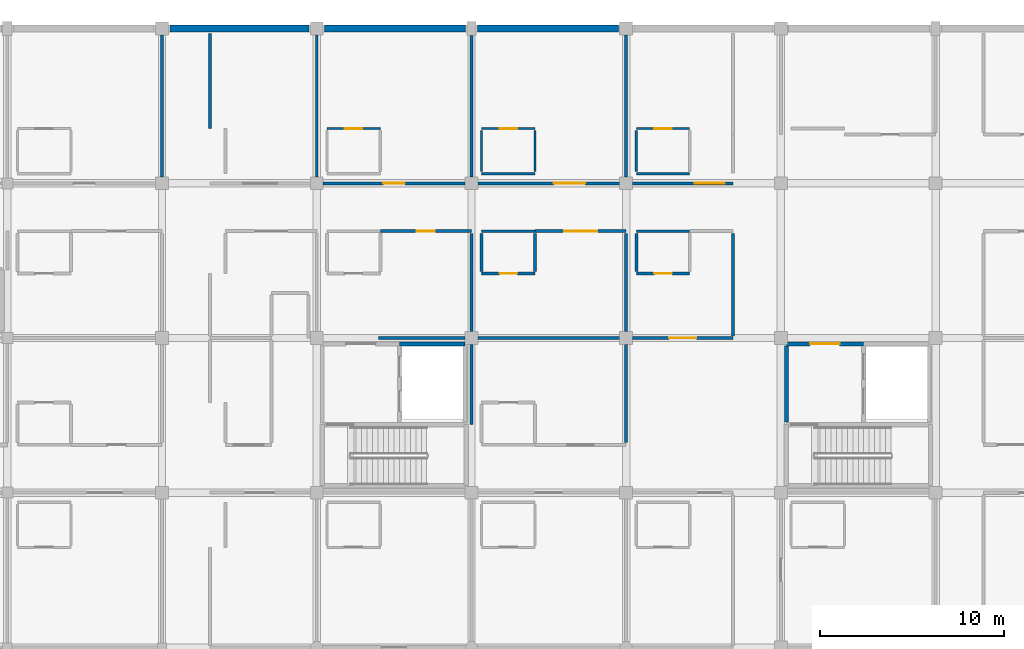
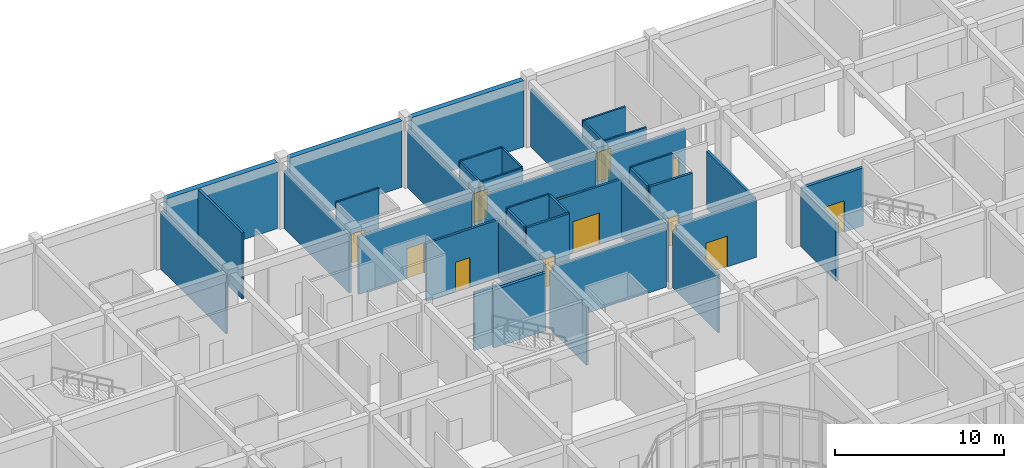
# One storey, part 105 of 134: 39 walls, 12 doors, 12 openings.
"""IFC4 building model written with IfcOpenShell, lengths in metres."""

from ifc_helpers import new_model, si_unit, direction, frame, frame_2d, origin, place, context, subcontext, project, spatial, rectangle, extrude, material, layer, layer_set, type_object, element, fill, save


model = new_model("IFC4")

# Units and contexts
model_context = context("Model", 3, precision=1e-05, world=origin(), true_north=direction((0.0, 1.0)))
body_context = subcontext(model_context, "Body", "Model", "MODEL_VIEW")
ifc_project = project(units=[si_unit("LENGTHUNIT", "METRE"), si_unit("AREAUNIT", "SQUARE_METRE"), si_unit("VOLUMEUNIT", "CUBIC_METRE"), si_unit("PLANEANGLEUNIT", "RADIAN"), si_unit("MASSUNIT", "GRAM", prefix="KILO")], contexts=[model_context])

# Site, building, storey
site_placement = place(None, origin())
site = spatial("IfcSite", under=ifc_project, at=site_placement, CompositionType="ELEMENT")
building_placement = place(site_placement, origin())
building = spatial("IfcBuilding", under=site, at=building_placement, Name="Bramfleet General Hospital", CompositionType="ELEMENT")
storey_placement = place(building_placement, frame((0.0, 0.0, 9.300048828125)))
storey = spatial("IfcBuildingStorey", under=building, at=storey_placement, Name="L02", CompositionType="ELEMENT", Elevation=9.300048828125)

# Walls
ifc_material_1 = material(Name="Concrete C35/45", Category="concrete")
ifc_layer_1 = layer(ifc_material_1, 0.360107421875, Name="WT-EW-02")
ifc_layer_set_1 = layer_set([ifc_layer_1], Name="Concrete C35/45")
wall_type_1 = type_object("IfcWallType", Name="WT-EW-02", PredefinedType="SOLIDWALL", material=ifc_layer_set_1)
wall_1_placement = place(storey_placement, frame((67.625, 117.60009765625, 0.0), z_axis=(0.0, 0.0, 1.0), x_axis=(1.0, 0.0, 0.0)))
element("IfcWall", 1, at=wall_1_placement, inside=storey, type_object=wall_type_1, Name="L02 North REI 90-M Party Wall 205", PredefinedType="SOLIDWALL", context=body_context, shape_type="SweptSolid", body=[
    extrude(rectangle(XDim=7.550048828125, YDim=0.360107421875, at=frame_2d((3.77490234375, 0.0))), origin(), (0.0, 0.0, 1.0), 4.780029296875),
])
for number, where, z_axis, x_axis, name in (
    (2, (76.02490234375, 117.60009765625, 0.0), (0.0, 0.0, 1.0), (1.0, 0.0, 0.0), "L02 North REI 90-M Party Wall 206"),
    (3, (84.324951171875, 117.60009765625, 0.0), (0.0, 0.0, 1.0), (1.0, 0.0, 0.0), "L02 North REI 90-M Party Wall 207"),
):
    element("IfcWall", number, at=place(storey_placement, frame(where, z_axis=z_axis, x_axis=x_axis)), inside=storey, type_object=wall_type_1, Name=name, PredefinedType="SOLIDWALL", context=body_context, shape_type="SweptSolid", body=[
        extrude(rectangle(XDim=7.650146484375, YDim=0.360107421875, at=frame_2d((3.8251953125, 0.0))), origin(), (0.0, 0.0, 1.0), 4.780029296875),
    ])
ifc_layer_2 = layer(ifc_material_1, 0.205078125, Name="WT-IW-02")
ifc_layer_set_2 = layer_set([ifc_layer_2], Name="Concrete C35/45")
wall_type_2 = type_object("IfcWallType", Name="WT-IW-02", PredefinedType="PARTITIONING", material=ifc_layer_set_2)
wall_2_placement = place(storey_placement, frame((101.10009765625, 96.239990234375, 0.0), z_axis=(0.0, 0.0, 1.0), x_axis=(0.0, 1.0, 0.0)))
element("IfcWall", 4, at=wall_2_placement, inside=storey, type_object=wall_type_2, Name="L02 C4 Lobby West Compartment Wall", PredefinedType="PARTITIONING", context=body_context, shape_type="SweptSolid", body=[
    extrude(rectangle(XDim=4.1201171875, YDim=0.205078125, at=frame_2d((2.06005859375, 0.0))), origin(), (0.0, 0.0, 1.0), 4.169921875),
])

# Wall, opening, door
wall_3_placement = place(storey_placement, frame((101.10009765625, 100.47998046875, 0.0), z_axis=(0.0, 0.0, 1.0), x_axis=(1.0, 0.0, 0.0)))
wall_3 = element("IfcWall", 5, at=wall_3_placement, inside=storey, type_object=wall_type_2, Name="L02 C4 Lobby North Compartment Wall", PredefinedType="PARTITIONING", context=body_context, shape_type="SweptSolid", body=[
    extrude(rectangle(XDim=4.179931640625, YDim=0.205078125, at=frame_2d((2.08984375, 0.0))), origin(), (0.0, 0.0, 1.0), 4.169921875),
])
opening_1_placement = place(wall_3_placement, frame((1.2900390625, 0.0, 0.0)))
opening_1 = element("IfcOpeningElement", 6, at=opening_1_placement, cuts=wall_3, Name="Opening D0044", PredefinedType="OPENING", context=body_context, shape_type="SweptSolid", body=[
    extrude(rectangle(XDim=1.60009765625, YDim=2.25, at=frame_2d((0.800048828125, 1.125))), frame((0.0, 0.112548828125, 0.0), z_axis=(0.0, -1.0, 0.0), x_axis=(1.0, 0.0, 0.0)), (0.0, 0.0, 1.0), 0.22509765625),
])
ifc_material_2 = material(Name="Stainless steel and acoustic timber leaf", Category="steel")
door_type_1 = type_object("IfcDoorType", Name="DR-D-04", OperationType="NOTDEFINED", PredefinedType="DOOR", material=ifc_material_2)
door_1_placement = place(opening_1_placement, origin())
door_1 = element("IfcDoor", 7, at=door_1_placement, inside=storey, type_object=door_type_1, Name="L02 C4 Lobby Fire Door D0044", OperationType="DOUBLE_SWING_LEFT", OverallHeight=2.25, OverallWidth=1.60009765625, PredefinedType="DOOR", context=body_context, shape_type="SweptSolid", body=[
    extrude(rectangle(XDim=1.60009765625, YDim=2.25, at=frame_2d((0.800048828125, 1.125))), frame((0.0, 0.02490234375, 0.0), z_axis=(0.0, -1.0, 0.0), x_axis=(1.0, 0.0, 0.0)), (0.0, 0.0, 1.0), 0.050048828125),
])
fill(opening_1, door_1)

# Walls
wall_4_placement = place(storey_placement, frame((80.080078125, 100.47998046875, 0.0), z_axis=(0.0, 0.0, 1.0), x_axis=(1.0, 0.0, 0.0)))
element("IfcWall", 8, at=wall_4_placement, inside=storey, type_object=wall_type_2, Name="L02 C5 Lift Shaft North Wall", PredefinedType="PARTITIONING", context=body_context, shape_type="SweptSolid", body=[
    extrude(rectangle(XDim=3.56982421875, YDim=0.205078125, at=frame_2d((1.784912109375, 0.0))), origin(), (0.0, 0.0, 1.0), 4.169921875),
])
ifc_material_3 = material(Name="Gypsum plasterboard on acoustic steel studs", Category="steel")
ifc_layer_3 = layer(ifc_material_3, 0.159912109375, Name="WT-IW-06")
ifc_layer_set_3 = layer_set([ifc_layer_3], Name="Gypsum plasterboard on acoustic steel studs")
wall_type_3 = type_object("IfcWallType", Name="WT-IW-06", PredefinedType="PARTITIONING", material=ifc_layer_set_3)
wall_5_placement = place(storey_placement, frame((78.949951171875, 100.800048828125, 0.0), z_axis=(0.0, 0.0, 1.0), x_axis=(1.0, 0.0, 0.0)))
element("IfcWall", 9, at=wall_5_placement, inside=storey, type_object=wall_type_3, Name="L02 Interior Partition IW-L02-2125", PredefinedType="PARTITIONING", context=body_context, shape_type="SweptSolid", body=[
    extrude(rectangle(XDim=4.705078125, YDim=0.159912109375, at=frame_2d((2.3525390625, 0.0))), origin(), (0.0, 0.0, 1.0), 4.169921875),
])
wall_6_placement = place(storey_placement, frame((84.344970703125, 100.800048828125, 0.0), z_axis=(0.0, 0.0, 1.0), x_axis=(1.0, 0.0, 0.0)))
element("IfcWall", 10, at=wall_6_placement, inside=storey, type_object=wall_type_3, Name="L02 Interior Partition IW-L02-2126", PredefinedType="PARTITIONING", context=body_context, shape_type="SweptSolid", body=[
    extrude(rectangle(XDim=7.7099609375, YDim=0.159912109375, at=frame_2d((3.85498046875, 0.0))), origin(), (0.0, 0.0, 1.0), 4.169921875),
])

# Wall, opening, door
wall_7_placement = place(storey_placement, frame((92.7451171875, 100.800048828125, 0.0), z_axis=(0.0, 0.0, 1.0), x_axis=(1.0, 0.0, 0.0)))
wall_7 = element("IfcWall", 11, at=wall_7_placement, inside=storey, type_object=wall_type_3, Name="L02 Interior Partition IW-L02-2127", PredefinedType="PARTITIONING", context=body_context, shape_type="SweptSolid", body=[
    extrude(rectangle(XDim=5.454833984375, YDim=0.159912109375, at=frame_2d((2.7275390625, 0.0))), origin(), (0.0, 0.0, 1.0), 4.169921875),
])
opening_2_placement = place(wall_7_placement, frame((1.987548828125, 0.0, 0.0)))
opening_2 = element("IfcOpeningElement", 12, at=opening_2_placement, cuts=wall_7, Name="Opening D0944", PredefinedType="OPENING", context=body_context, shape_type="SweptSolid", body=[
    extrude(rectangle(XDim=1.47998046875, YDim=2.219970703125, at=frame_2d((0.739990234375, 1.10986328125))), frame((0.0, 0.08984375, 0.0), z_axis=(0.0, -1.0, 0.0), x_axis=(1.0, 0.0, 0.0)), (0.0, 0.0, 1.0), 0.179931640625),
])
door_type_2 = type_object("IfcDoorType", Name="DR-D-16", OperationType="NOTDEFINED", PredefinedType="DOOR", material=ifc_material_2)
door_2_placement = place(opening_2_placement, origin())
door_2 = element("IfcDoor", 13, at=door_2_placement, inside=storey, type_object=door_type_2, Name="Intensive Care Unit Room L02-1112 Door D0944", OperationType="SINGLE_SWING_LEFT", OverallHeight=2.219970703125, OverallWidth=1.47998046875, PredefinedType="DOOR", context=body_context, shape_type="SweptSolid", body=[
    extrude(rectangle(XDim=1.47998046875, YDim=2.219970703125, at=frame_2d((0.739990234375, 1.10986328125))), frame((0.0, 0.02490234375, 0.0), z_axis=(0.0, -1.0, 0.0), x_axis=(1.0, 0.0, 0.0)), (0.0, 0.0, 1.0), 0.050048828125),
])
fill(opening_2, door_2)

wall_8_placement = place(storey_placement, frame((84.550048828125, 104.300048828125, 0.0), z_axis=(0.0, 0.0, 1.0), x_axis=(1.0, 0.0, 0.0)))
wall_8 = element("IfcWall", 14, at=wall_8_placement, inside=storey, type_object=wall_type_3, Name="L02 Interior Partition IW-L02-2144", PredefinedType="PARTITIONING", context=body_context, shape_type="SweptSolid", body=[
    extrude(rectangle(XDim=2.89990234375, YDim=0.159912109375, at=frame_2d((1.449951171875, 0.0))), origin(), (0.0, 0.0, 1.0), 4.77001953125),
])
opening_3_placement = place(wall_8_placement, frame((0.97509765625, 0.0, 0.0)))
opening_3 = element("IfcOpeningElement", 15, at=opening_3_placement, cuts=wall_8, Name="Opening D0934", PredefinedType="OPENING", context=body_context, shape_type="SweptSolid", body=[
    extrude(rectangle(XDim=0.949951171875, YDim=2.10009765625, at=frame_2d((0.47509765625, 1.050048828125))), frame((0.0, 0.08984375, 0.0), z_axis=(0.0, -1.0, 0.0), x_axis=(1.0, 0.0, 0.0)), (0.0, 0.0, 1.0), 0.179931640625),
])
door_type_3 = type_object("IfcDoorType", Name="DR-D-10", OperationType="NOTDEFINED", PredefinedType="DOOR", material=ifc_material_2)
door_3_placement = place(opening_3_placement, origin())
door_3 = element("IfcDoor", 16, at=door_3_placement, inside=storey, type_object=door_type_3, Name="Intensive Care En-Suite WC L02-1012 Door D0934", OperationType="SINGLE_SWING_LEFT", OverallHeight=2.10009765625, OverallWidth=0.949951171875, PredefinedType="DOOR", context=body_context, shape_type="SweptSolid", body=[
    extrude(rectangle(XDim=0.949951171875, YDim=2.10009765625, at=frame_2d((0.47509765625, 1.050048828125))), frame((0.0, 0.02490234375, 0.0), z_axis=(0.0, -1.0, 0.0), x_axis=(1.0, 0.0, 0.0)), (0.0, 0.0, 1.0), 0.050048828125),
])
fill(opening_3, door_3)

wall_9_placement = place(storey_placement, frame((92.949951171875, 104.300048828125, 0.0), z_axis=(0.0, 0.0, 1.0), x_axis=(1.0, 0.0, 0.0)))
wall_9 = element("IfcWall", 17, at=wall_9_placement, inside=storey, type_object=wall_type_3, Name="L02 Interior Partition IW-L02-2145", PredefinedType="PARTITIONING", context=body_context, shape_type="SweptSolid", body=[
    extrude(rectangle(XDim=2.900146484375, YDim=0.159912109375, at=frame_2d((1.4501953125, 0.0))), origin(), (0.0, 0.0, 1.0), 4.77001953125),
])
opening_4_placement = place(wall_9_placement, frame((0.97509765625, 0.0, 0.0)))
opening_4 = element("IfcOpeningElement", 18, at=opening_4_placement, cuts=wall_9, Name="Opening D0945", PredefinedType="OPENING", context=body_context, shape_type="SweptSolid", body=[
    extrude(rectangle(XDim=0.949951171875, YDim=2.10009765625, at=frame_2d((0.47509765625, 1.050048828125))), frame((0.0, 0.08984375, 0.0), z_axis=(0.0, -1.0, 0.0), x_axis=(1.0, 0.0, 0.0)), (0.0, 0.0, 1.0), 0.179931640625),
])
door_4_placement = place(opening_4_placement, origin())
door_4 = element("IfcDoor", 19, at=door_4_placement, inside=storey, type_object=door_type_3, Name="Intensive Care En-Suite WC L02-1112 Door D0945", OperationType="SINGLE_SWING_LEFT", OverallHeight=2.10009765625, OverallWidth=0.949951171875, PredefinedType="DOOR", context=body_context, shape_type="SweptSolid", body=[
    extrude(rectangle(XDim=0.949951171875, YDim=2.10009765625, at=frame_2d((0.47509765625, 1.050048828125))), frame((0.0, 0.02490234375, 0.0), z_axis=(0.0, -1.0, 0.0), x_axis=(1.0, 0.0, 0.0)), (0.0, 0.0, 1.0), 0.050048828125),
])
fill(opening_4, door_4)

wall_10_placement = place(storey_placement, frame((79.050048828125, 106.60009765625, 0.0), z_axis=(0.0, 0.0, 1.0), x_axis=(1.0, 0.0, 0.0)))
wall_10 = element("IfcWall", 20, at=wall_10_placement, inside=storey, type_object=wall_type_3, Name="L02 Interior Partition IW-L02-2155", PredefinedType="PARTITIONING", context=body_context, shape_type="SweptSolid", body=[
    extrude(rectangle(XDim=4.949951171875, YDim=0.159912109375, at=frame_2d((2.47509765625, 0.0))), origin(), (0.0, 0.0, 1.0), 4.169921875),
])
opening_5_placement = place(wall_10_placement, frame((1.985107421875, 0.0, 0.0)))
opening_5 = element("IfcOpeningElement", 21, at=opening_5_placement, cuts=wall_10, Name="Opening D0922", PredefinedType="OPENING", context=body_context, shape_type="SweptSolid", body=[
    extrude(rectangle(XDim=0.97998046875, YDim=2.1201171875, at=frame_2d((0.489990234375, 1.06005859375))), frame((0.0, 0.08984375, 0.0), z_axis=(0.0, -1.0, 0.0), x_axis=(1.0, 0.0, 0.0)), (0.0, 0.0, 1.0), 0.179931640625),
])
door_type_4 = type_object("IfcDoorType", Name="DR-D-26", OperationType="NOTDEFINED", PredefinedType="DOOR", material=ifc_material_2)
door_5_placement = place(opening_5_placement, origin())
door_5 = element("IfcDoor", 22, at=door_5_placement, inside=storey, type_object=door_type_4, Name="Intensive Care Unit Room L02-0912 Door D0922", OperationType="SINGLE_SWING_LEFT", OverallHeight=2.1201171875, OverallWidth=0.97998046875, PredefinedType="DOOR", context=body_context, shape_type="SweptSolid", body=[
    extrude(rectangle(XDim=0.97998046875, YDim=2.1201171875, at=frame_2d((0.489990234375, 1.06005859375))), frame((0.0, 0.02490234375, 0.0), z_axis=(0.0, -1.0, 0.0), x_axis=(1.0, 0.0, 0.0)), (0.0, 0.0, 1.0), 0.050048828125),
])
fill(opening_5, door_5)

wall_11_placement = place(storey_placement, frame((87.449951171875, 106.60009765625, 0.0), z_axis=(0.0, 0.0, 1.0), x_axis=(1.0, 0.0, 0.0)))
wall_11 = element("IfcWall", 23, at=wall_11_placement, inside=storey, type_object=wall_type_3, Name="L02 Interior Partition IW-L02-2157", PredefinedType="PARTITIONING", context=body_context, shape_type="SweptSolid", body=[
    extrude(rectangle(XDim=4.949951171875, YDim=0.159912109375, at=frame_2d((2.47509765625, 0.0))), origin(), (0.0, 0.0, 1.0), 4.169921875),
])
opening_6_placement = place(wall_11_placement, frame((1.574951171875, 0.0, 0.0)))
opening_6 = element("IfcOpeningElement", 24, at=opening_6_placement, cuts=wall_11, Name="Opening D0933", PredefinedType="OPENING", context=body_context, shape_type="SweptSolid", body=[
    extrude(rectangle(XDim=1.800048828125, YDim=2.25, at=frame_2d((0.89990234375, 1.125))), frame((0.0, 0.08984375, 0.0), z_axis=(0.0, -1.0, 0.0), x_axis=(1.0, 0.0, 0.0)), (0.0, 0.0, 1.0), 0.179931640625),
])
door_type_5 = type_object("IfcDoorType", Name="DR-D-05", OperationType="NOTDEFINED", PredefinedType="DOOR", material=ifc_material_2)
door_6_placement = place(opening_6_placement, origin())
door_6 = element("IfcDoor", 25, at=door_6_placement, inside=storey, type_object=door_type_5, Name="Intensive Care Unit Room L02-1012 Door D0933", OperationType="DOUBLE_SWING_RIGHT", OverallHeight=2.25, OverallWidth=1.800048828125, PredefinedType="DOOR", context=body_context, shape_type="SweptSolid", body=[
    extrude(rectangle(XDim=1.800048828125, YDim=2.25, at=frame_2d((0.89990234375, 1.125))), frame((0.0, 0.02490234375, 0.0), z_axis=(0.0, -1.0, 0.0), x_axis=(1.0, 0.0, 0.0)), (0.0, 0.0, 1.0), 0.050048828125),
])
fill(opening_6, door_6)

wall_12_placement = place(storey_placement, frame((75.945068359375, 109.199951171875, 0.0), z_axis=(0.0, 0.0, 1.0), x_axis=(1.0, 0.0, 0.0)))
wall_12 = element("IfcWall", 26, at=wall_12_placement, inside=storey, type_object=wall_type_3, Name="L02 Interior Partition IW-L02-2175", PredefinedType="PARTITIONING", context=body_context, shape_type="SweptSolid", body=[
    extrude(rectangle(XDim=7.7099609375, YDim=0.159912109375, at=frame_2d((3.85498046875, 0.0))), origin(), (0.0, 0.0, 1.0), 4.169921875),
])
opening_7_placement = place(wall_12_placement, frame((3.264892578125, 0.0, 0.0)))
opening_7 = element("IfcOpeningElement", 27, at=opening_7_placement, cuts=wall_12, Name="Opening D0924", PredefinedType="OPENING", context=body_context, shape_type="SweptSolid", body=[
    extrude(rectangle(XDim=1.179931640625, YDim=2.179931640625, at=frame_2d((0.58984375, 1.08984375))), frame((0.0, 0.08984375, 0.0), z_axis=(0.0, -1.0, 0.0), x_axis=(1.0, 0.0, 0.0)), (0.0, 0.0, 1.0), 0.179931640625),
])
door_type_6 = type_object("IfcDoorType", Name="DR-D-28", OperationType="NOTDEFINED", PredefinedType="DOOR", material=ifc_material_2)
door_7_placement = place(opening_7_placement, origin())
door_7 = element("IfcDoor", 28, at=door_7_placement, inside=storey, type_object=door_type_6, Name="Intensive Care Unit Room L02-0913 Door D0924", OperationType="SINGLE_SWING_LEFT", OverallHeight=2.179931640625, OverallWidth=1.179931640625, PredefinedType="DOOR", context=body_context, shape_type="SweptSolid", body=[
    extrude(rectangle(XDim=1.179931640625, YDim=2.179931640625, at=frame_2d((0.58984375, 1.08984375))), frame((0.0, 0.02490234375, 0.0), z_axis=(0.0, -1.0, 0.0), x_axis=(1.0, 0.0, 0.0)), (0.0, 0.0, 1.0), 0.050048828125),
])
fill(opening_7, door_7)

wall_13_placement = place(storey_placement, frame((84.344970703125, 109.199951171875, 0.0), z_axis=(0.0, 0.0, 1.0), x_axis=(1.0, 0.0, 0.0)))
wall_13 = element("IfcWall", 29, at=wall_13_placement, inside=storey, type_object=wall_type_3, Name="L02 Interior Partition IW-L02-2176", PredefinedType="PARTITIONING", context=body_context, shape_type="SweptSolid", body=[
    extrude(rectangle(XDim=7.7099609375, YDim=0.159912109375, at=frame_2d((3.85498046875, 0.0))), origin(), (0.0, 0.0, 1.0), 4.169921875),
])
opening_8_placement = place(wall_13_placement, frame((4.12548828125, 0.0, 0.0)))
opening_8 = element("IfcOpeningElement", 30, at=opening_8_placement, cuts=wall_13, Name="Opening D0935", PredefinedType="OPENING", context=body_context, shape_type="SweptSolid", body=[
    extrude(rectangle(XDim=1.699951171875, YDim=2.25, at=frame_2d((0.85009765625, 1.125))), frame((0.0, 0.08984375, 0.0), z_axis=(0.0, -1.0, 0.0), x_axis=(1.0, 0.0, 0.0)), (0.0, 0.0, 1.0), 0.179931640625),
])
door_type_7 = type_object("IfcDoorType", Name="DR-D-07", OperationType="NOTDEFINED", PredefinedType="DOOR", material=ifc_material_2)
door_8_placement = place(opening_8_placement, origin())
door_8 = element("IfcDoor", 31, at=door_8_placement, inside=storey, type_object=door_type_7, Name="Intensive Care Unit Room L02-1013 Door D0935", OperationType="DOUBLE_SWING_RIGHT", OverallHeight=2.25, OverallWidth=1.699951171875, PredefinedType="DOOR", context=body_context, shape_type="SweptSolid", body=[
    extrude(rectangle(XDim=1.699951171875, YDim=2.25, at=frame_2d((0.85009765625, 1.125))), frame((0.0, 0.02490234375, 0.0), z_axis=(0.0, -1.0, 0.0), x_axis=(1.0, 0.0, 0.0)), (0.0, 0.0, 1.0), 0.050048828125),
])
fill(opening_8, door_8)

wall_14_placement = place(storey_placement, frame((92.7451171875, 109.199951171875, 0.0), z_axis=(0.0, 0.0, 1.0), x_axis=(1.0, 0.0, 0.0)))
wall_14 = element("IfcWall", 32, at=wall_14_placement, inside=storey, type_object=wall_type_3, Name="L02 Interior Partition IW-L02-2177", PredefinedType="PARTITIONING", context=body_context, shape_type="SweptSolid", body=[
    extrude(rectangle(XDim=5.454833984375, YDim=0.159912109375, at=frame_2d((2.7275390625, 0.0))), origin(), (0.0, 0.0, 1.0), 4.169921875),
])
opening_9_placement = place(wall_14_placement, frame((3.36767578125, 0.0, 0.0)))
opening_9 = element("IfcOpeningElement", 33, at=opening_9_placement, cuts=wall_14, Name="Opening D0946", PredefinedType="OPENING", context=body_context, shape_type="SweptSolid", body=[
    extrude(rectangle(XDim=1.639892578125, YDim=2.280029296875, at=frame_2d((0.81982421875, 1.14013671875))), frame((0.0, 0.08984375, 0.0), z_axis=(0.0, -1.0, 0.0), x_axis=(1.0, 0.0, 0.0)), (0.0, 0.0, 1.0), 0.179931640625),
])
door_type_8 = type_object("IfcDoorType", Name="DR-D-18", OperationType="NOTDEFINED", PredefinedType="DOOR", material=ifc_material_2)
door_9_placement = place(opening_9_placement, origin())
door_9 = element("IfcDoor", 34, at=door_9_placement, inside=storey, type_object=door_type_8, Name="Intensive Care Unit Room L02-1113 Door D0946", OperationType="DOUBLE_SWING_LEFT", OverallHeight=2.280029296875, OverallWidth=1.639892578125, PredefinedType="DOOR", context=body_context, shape_type="SweptSolid", body=[
    extrude(rectangle(XDim=1.639892578125, YDim=2.280029296875, at=frame_2d((0.81982421875, 1.14013671875))), frame((0.0, 0.02490234375, 0.0), z_axis=(0.0, -1.0, 0.0), x_axis=(1.0, 0.0, 0.0)), (0.0, 0.0, 1.0), 0.050048828125),
])
fill(opening_9, door_9)

# Walls
wall_15_placement = place(storey_placement, frame((67.199951171875, 109.544921875, 0.0), z_axis=(0.0, 0.0, 1.0), x_axis=(0.0, 1.0, 0.0)))
element("IfcWall", 35, at=wall_15_placement, inside=storey, type_object=wall_type_3, Name="L02 Interior Partition IW-L02-2292", PredefinedType="PARTITIONING", context=body_context, shape_type="SweptSolid", body=[
    extrude(rectangle(XDim=7.7099609375, YDim=0.159912109375, at=frame_2d((3.85498046875, 0.0))), origin(), (0.0, 0.0, 1.0), 4.169921875),
])
wall_16_placement = place(storey_placement, frame((69.800048828125, 112.169921875, 0.0), z_axis=(0.0, 0.0, 1.0), x_axis=(0.0, 1.0, 0.0)))
element("IfcWall", 36, at=wall_16_placement, inside=storey, type_object=wall_type_3, Name="L02 Interior Partition IW-L02-2299", PredefinedType="PARTITIONING", context=body_context, shape_type="SweptSolid", body=[
    extrude(rectangle(XDim=5.150146484375, YDim=0.159912109375, at=frame_2d((2.5751953125, 0.0))), origin(), (0.0, 0.0, 1.0), 4.77001953125),
])
wall_17_placement = place(storey_placement, frame((75.60009765625, 109.544921875, 0.0), z_axis=(0.0, 0.0, 1.0), x_axis=(0.0, 1.0, 0.0)))
element("IfcWall", 37, at=wall_17_placement, inside=storey, type_object=wall_type_3, Name="L02 Interior Partition IW-L02-2312", PredefinedType="PARTITIONING", context=body_context, shape_type="SweptSolid", body=[
    extrude(rectangle(XDim=7.7099609375, YDim=0.159912109375, at=frame_2d((3.85498046875, 0.0))), origin(), (0.0, 0.0, 1.0), 4.169921875),
])
wall_18_placement = place(storey_placement, frame((84.0, 96.10009765625, 0.0), z_axis=(0.0, 0.0, 1.0), x_axis=(0.0, 1.0, 0.0)))
element("IfcWall", 38, at=wall_18_placement, inside=storey, type_object=wall_type_3, Name="L02 Interior Partition IW-L02-2321", PredefinedType="PARTITIONING", context=body_context, shape_type="SweptSolid", body=[
    extrude(rectangle(XDim=4.35498046875, YDim=0.159912109375, at=frame_2d((2.177490234375, 0.0))), origin(), (0.0, 0.0, 1.0), 4.169921875),
])
wall_19_placement = place(storey_placement, frame((84.0, 101.14501953125, 0.0), z_axis=(0.0, 0.0, 1.0), x_axis=(0.0, 1.0, 0.0)))
element("IfcWall", 39, at=wall_19_placement, inside=storey, type_object=wall_type_3, Name="L02 Interior Partition IW-L02-2322", PredefinedType="PARTITIONING", context=body_context, shape_type="SweptSolid", body=[
    extrude(rectangle(XDim=5.340087890625, YDim=0.159912109375, at=frame_2d((2.669921875, 0.0))), origin(), (0.0, 0.0, 1.0), 4.169921875),
])
wall_20_placement = place(storey_placement, frame((84.0, 109.544921875, 0.0), z_axis=(0.0, 0.0, 1.0), x_axis=(0.0, 1.0, 0.0)))
element("IfcWall", 40, at=wall_20_placement, inside=storey, type_object=wall_type_3, Name="L02 Interior Partition IW-L02-2323", PredefinedType="PARTITIONING", context=body_context, shape_type="SweptSolid", body=[
    extrude(rectangle(XDim=7.68505859375, YDim=0.159912109375, at=frame_2d((3.842529296875, 0.0))), origin(), (0.0, 0.0, 1.0), 4.169921875),
])
for number, where, z_axis, x_axis, name in (
    (41, (84.550048828125, 104.4150390625, 0.0), (0.0, 0.0, 1.0), (0.0, 1.0, 0.0), "L02 Interior Partition IW-L02-2326"),
    (42, (87.449951171875, 104.4150390625, 0.0), (0.0, 0.0, 1.0), (0.0, 1.0, 0.0), "L02 Interior Partition IW-L02-2330"),
):
    element("IfcWall", number, at=place(storey_placement, frame(where, z_axis=z_axis, x_axis=x_axis)), inside=storey, type_object=wall_type_3, Name=name, PredefinedType="PARTITIONING", context=body_context, shape_type="SweptSolid", body=[
        extrude(rectangle(XDim=2.070068359375, YDim=0.159912109375, at=frame_2d((1.03515625, 0.0))), origin(), (0.0, 0.0, 1.0), 4.77001953125),
    ])
for number, where, z_axis, x_axis, name in (
    (43, (92.39990234375, 95.114990234375, 0.0), (0.0, 0.0, 1.0), (0.0, 1.0, 0.0), "L02 Interior Partition IW-L02-2336"),
    (44, (92.39990234375, 101.14501953125, 0.0), (0.0, 0.0, 1.0), (0.0, 1.0, 0.0), "L02 Interior Partition IW-L02-2337"),
):
    element("IfcWall", number, at=place(storey_placement, frame(where, z_axis=z_axis, x_axis=x_axis)), inside=storey, type_object=wall_type_3, Name=name, PredefinedType="PARTITIONING", context=body_context, shape_type="SweptSolid", body=[
        extrude(rectangle(XDim=5.340087890625, YDim=0.159912109375, at=frame_2d((2.669921875, 0.0))), origin(), (0.0, 0.0, 1.0), 4.169921875),
    ])
wall_21_placement = place(storey_placement, frame((92.39990234375, 109.544921875, 0.0), z_axis=(0.0, 0.0, 1.0), x_axis=(0.0, 1.0, 0.0)))
element("IfcWall", 45, at=wall_21_placement, inside=storey, type_object=wall_type_3, Name="L02 Interior Partition IW-L02-2338", PredefinedType="PARTITIONING", context=body_context, shape_type="SweptSolid", body=[
    extrude(rectangle(XDim=7.7099609375, YDim=0.159912109375, at=frame_2d((3.85498046875, 0.0))), origin(), (0.0, 0.0, 1.0), 4.169921875),
])
wall_22_placement = place(storey_placement, frame((92.949951171875, 104.4150390625, 0.0), z_axis=(0.0, 0.0, 1.0), x_axis=(0.0, 1.0, 0.0)))
element("IfcWall", 46, at=wall_22_placement, inside=storey, type_object=wall_type_3, Name="L02 Interior Partition IW-L02-2340", PredefinedType="PARTITIONING", context=body_context, shape_type="SweptSolid", body=[
    extrude(rectangle(XDim=2.070068359375, YDim=0.159912109375, at=frame_2d((1.03515625, 0.0))), origin(), (0.0, 0.0, 1.0), 4.77001953125),
])
wall_23_placement = place(storey_placement, frame((98.199951171875, 100.9150390625, 0.0), z_axis=(0.0, 0.0, 1.0), x_axis=(0.0, 1.0, 0.0)))
element("IfcWall", 47, at=wall_23_placement, inside=storey, type_object=wall_type_3, Name="L02 Interior Partition IW-L02-2351", PredefinedType="PARTITIONING", context=body_context, shape_type="SweptSolid", body=[
    extrude(rectangle(XDim=5.570068359375, YDim=0.159912109375, at=frame_2d((2.78515625, 0.0))), origin(), (0.0, 0.0, 1.0), 4.169921875),
])
ifc_layer_4 = layer(ifc_material_3, 0.1201171875, Name="WT-IW-10")
ifc_layer_set_4 = layer_set([ifc_layer_4], Name="Gypsum plasterboard on acoustic steel studs")
wall_type_4 = type_object("IfcWallType", Name="WT-IW-10", PredefinedType="PARTITIONING", material=ifc_layer_set_4)
wall_24_placement = place(storey_placement, frame((84.550048828125, 106.60009765625, 0.0), z_axis=(0.0, 0.0, 1.0), x_axis=(1.0, 0.0, 0.0)))
element("IfcWall", 48, at=wall_24_placement, inside=storey, type_object=wall_type_4, Name="L02 Interior Partition IW-L02-2156", PredefinedType="PARTITIONING", context=body_context, shape_type="SweptSolid", body=[
    extrude(rectangle(XDim=2.89990234375, YDim=0.1201171875, at=frame_2d((1.449951171875, 0.0))), origin(), (0.0, 0.0, 1.0), 4.77001953125),
])
wall_25_placement = place(storey_placement, frame((92.949951171875, 106.60009765625, 0.0), z_axis=(0.0, 0.0, 1.0), x_axis=(1.0, 0.0, 0.0)))
element("IfcWall", 49, at=wall_25_placement, inside=storey, type_object=wall_type_4, Name="L02 Interior Partition IW-L02-2158", PredefinedType="PARTITIONING", context=body_context, shape_type="SweptSolid", body=[
    extrude(rectangle(XDim=2.900146484375, YDim=0.1201171875, at=frame_2d((1.4501953125, 0.0))), origin(), (0.0, 0.0, 1.0), 4.77001953125),
])
wall_26_placement = place(storey_placement, frame((84.550048828125, 109.719970703125, 0.0), z_axis=(0.0, 0.0, 1.0), x_axis=(1.0, 0.0, 0.0)))
element("IfcWall", 50, at=wall_26_placement, inside=storey, type_object=wall_type_4, Name="L02 Interior Partition IW-L02-2183", PredefinedType="PARTITIONING", context=body_context, shape_type="SweptSolid", body=[
    extrude(rectangle(XDim=2.89990234375, YDim=0.1201171875, at=frame_2d((1.449951171875, 0.0))), origin(), (0.0, 0.0, 1.0), 4.77001953125),
])
wall_27_placement = place(storey_placement, frame((92.949951171875, 109.719970703125, 0.0), z_axis=(0.0, 0.0, 1.0), x_axis=(1.0, 0.0, 0.0)))
element("IfcWall", 51, at=wall_27_placement, inside=storey, type_object=wall_type_4, Name="L02 Interior Partition IW-L02-2184", PredefinedType="PARTITIONING", context=body_context, shape_type="SweptSolid", body=[
    extrude(rectangle(XDim=2.900146484375, YDim=0.1201171875, at=frame_2d((1.4501953125, 0.0))), origin(), (0.0, 0.0, 1.0), 4.77001953125),
])

# Wall, opening, door
wall_28_placement = place(storey_placement, frame((76.14990234375, 112.169921875, 0.0), z_axis=(0.0, 0.0, 1.0), x_axis=(1.0, 0.0, 0.0)))
wall_28 = element("IfcWall", 52, at=wall_28_placement, inside=storey, type_object=wall_type_4, Name="L02 Interior Partition IW-L02-2196", PredefinedType="PARTITIONING", context=body_context, shape_type="SweptSolid", body=[
    extrude(rectangle(XDim=2.900146484375, YDim=0.1201171875, at=frame_2d((1.4501953125, 0.0))), origin(), (0.0, 0.0, 1.0), 4.77001953125),
])
opening_10_placement = place(wall_28_placement, frame((0.97509765625, 0.0, 0.0)))
opening_10 = element("IfcOpeningElement", 53, at=opening_10_placement, cuts=wall_28, Name="Opening D0925", PredefinedType="OPENING", context=body_context, shape_type="SweptSolid", body=[
    extrude(rectangle(XDim=0.949951171875, YDim=2.10009765625, at=frame_2d((0.47509765625, 1.050048828125))), frame((0.0, 0.070068359375, 0.0), z_axis=(0.0, -1.0, 0.0), x_axis=(1.0, 0.0, 0.0)), (0.0, 0.0, 1.0), 0.14013671875),
])
door_10_placement = place(opening_10_placement, origin())
door_10 = element("IfcDoor", 54, at=door_10_placement, inside=storey, type_object=door_type_3, Name="Intensive Care En-Suite WC L02-0913 Door D0925", OperationType="SINGLE_SWING_LEFT", OverallHeight=2.10009765625, OverallWidth=0.949951171875, PredefinedType="DOOR", context=body_context, shape_type="SweptSolid", body=[
    extrude(rectangle(XDim=0.949951171875, YDim=2.10009765625, at=frame_2d((0.47509765625, 1.050048828125))), frame((0.0, 0.02490234375, 0.0), z_axis=(0.0, -1.0, 0.0), x_axis=(1.0, 0.0, 0.0)), (0.0, 0.0, 1.0), 0.050048828125),
])
fill(opening_10, door_10)

wall_29_placement = place(storey_placement, frame((84.550048828125, 112.169921875, 0.0), z_axis=(0.0, 0.0, 1.0), x_axis=(1.0, 0.0, 0.0)))
wall_29 = element("IfcWall", 55, at=wall_29_placement, inside=storey, type_object=wall_type_4, Name="L02 Interior Partition IW-L02-2197", PredefinedType="PARTITIONING", context=body_context, shape_type="SweptSolid", body=[
    extrude(rectangle(XDim=2.89990234375, YDim=0.1201171875, at=frame_2d((1.449951171875, 0.0))), origin(), (0.0, 0.0, 1.0), 4.77001953125),
])
opening_11_placement = place(wall_29_placement, frame((0.97509765625, 0.0, 0.0)))
opening_11 = element("IfcOpeningElement", 56, at=opening_11_placement, cuts=wall_29, Name="Opening D0936", PredefinedType="OPENING", context=body_context, shape_type="SweptSolid", body=[
    extrude(rectangle(XDim=0.949951171875, YDim=2.10009765625, at=frame_2d((0.47509765625, 1.050048828125))), frame((0.0, 0.070068359375, 0.0), z_axis=(0.0, -1.0, 0.0), x_axis=(1.0, 0.0, 0.0)), (0.0, 0.0, 1.0), 0.14013671875),
])
door_11_placement = place(opening_11_placement, origin())
door_11 = element("IfcDoor", 57, at=door_11_placement, inside=storey, type_object=door_type_3, Name="Intensive Care En-Suite WC L02-1013 Door D0936", OperationType="SINGLE_SWING_LEFT", OverallHeight=2.10009765625, OverallWidth=0.949951171875, PredefinedType="DOOR", context=body_context, shape_type="SweptSolid", body=[
    extrude(rectangle(XDim=0.949951171875, YDim=2.10009765625, at=frame_2d((0.47509765625, 1.050048828125))), frame((0.0, 0.02490234375, 0.0), z_axis=(0.0, -1.0, 0.0), x_axis=(1.0, 0.0, 0.0)), (0.0, 0.0, 1.0), 0.050048828125),
])
fill(opening_11, door_11)

wall_30_placement = place(storey_placement, frame((92.949951171875, 112.169921875, 0.0), z_axis=(0.0, 0.0, 1.0), x_axis=(1.0, 0.0, 0.0)))
wall_30 = element("IfcWall", 58, at=wall_30_placement, inside=storey, type_object=wall_type_4, Name="L02 Interior Partition IW-L02-2198", PredefinedType="PARTITIONING", context=body_context, shape_type="SweptSolid", body=[
    extrude(rectangle(XDim=2.900146484375, YDim=0.1201171875, at=frame_2d((1.4501953125, 0.0))), origin(), (0.0, 0.0, 1.0), 4.77001953125),
])
opening_12_placement = place(wall_30_placement, frame((0.97509765625, 0.0, 0.0)))
opening_12 = element("IfcOpeningElement", 59, at=opening_12_placement, cuts=wall_30, Name="Opening D0947", PredefinedType="OPENING", context=body_context, shape_type="SweptSolid", body=[
    extrude(rectangle(XDim=0.949951171875, YDim=2.10009765625, at=frame_2d((0.47509765625, 1.050048828125))), frame((0.0, 0.070068359375, 0.0), z_axis=(0.0, -1.0, 0.0), x_axis=(1.0, 0.0, 0.0)), (0.0, 0.0, 1.0), 0.14013671875),
])
door_12_placement = place(opening_12_placement, origin())
door_12 = element("IfcDoor", 60, at=door_12_placement, inside=storey, type_object=door_type_3, Name="Intensive Care En-Suite WC L02-1113 Door D0947", OperationType="SINGLE_SWING_LEFT", OverallHeight=2.10009765625, OverallWidth=0.949951171875, PredefinedType="DOOR", context=body_context, shape_type="SweptSolid", body=[
    extrude(rectangle(XDim=0.949951171875, YDim=2.10009765625, at=frame_2d((0.47509765625, 1.050048828125))), frame((0.0, 0.02490234375, 0.0), z_axis=(0.0, -1.0, 0.0), x_axis=(1.0, 0.0, 0.0)), (0.0, 0.0, 1.0), 0.050048828125),
])
fill(opening_12, door_12)

# Walls
for number, where, z_axis, x_axis, name in (
    (61, (84.550048828125, 109.8349609375, 0.0), (0.0, 0.0, 1.0), (0.0, 1.0, 0.0), "L02 Interior Partition IW-L02-2327"),
    (62, (87.449951171875, 109.8349609375, 0.0), (0.0, 0.0, 1.0), (0.0, 1.0, 0.0), "L02 Interior Partition IW-L02-2331"),
    (63, (92.949951171875, 109.8349609375, 0.0), (0.0, 0.0, 1.0), (0.0, 1.0, 0.0), "L02 Interior Partition IW-L02-2341"),
):
    element("IfcWall", number, at=place(storey_placement, frame(where, z_axis=z_axis, x_axis=x_axis)), inside=storey, type_object=wall_type_4, Name=name, PredefinedType="PARTITIONING", context=body_context, shape_type="SweptSolid", body=[
        extrude(rectangle(XDim=2.219970703125, YDim=0.1201171875, at=frame_2d((1.10986328125, 0.0))), origin(), (0.0, 0.0, 1.0), 4.77001953125),
    ])

save(model, "model.ifc")
